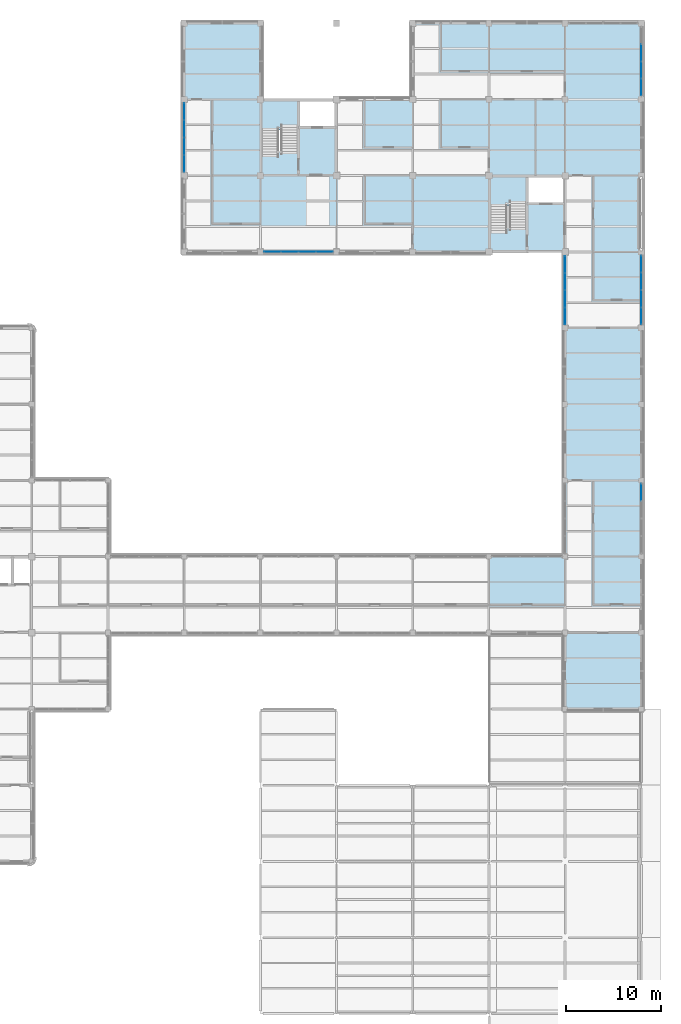
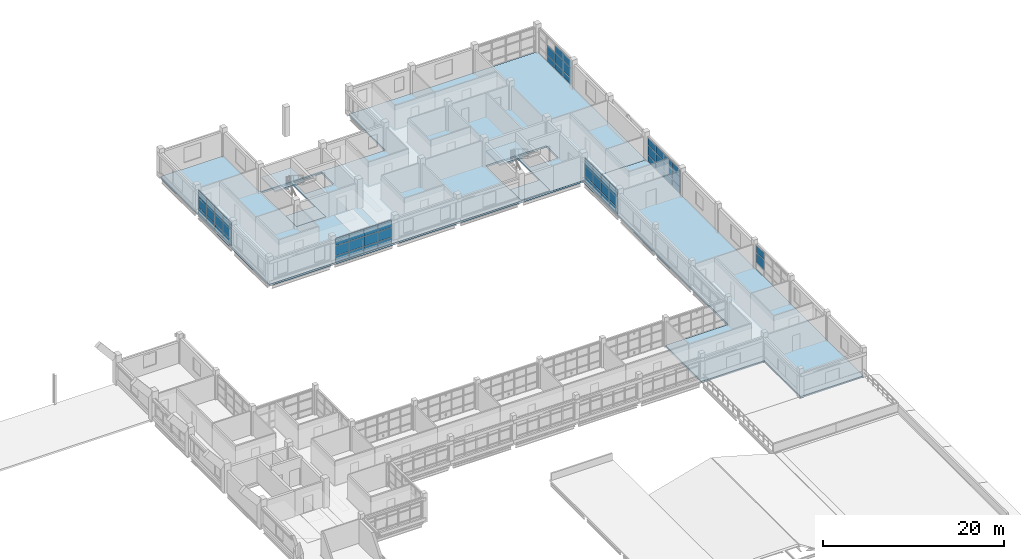
# One storey, part 59 of 92: 58 plates, 6 slabs, 8 elements without a shape of their own.
"""IFC4 building model written with IfcOpenShell, lengths in metres."""

import ifcopenshell
import ifcopenshell.guid

model = None  # the IFC model being written
_history = None  # IfcOwnerHistory: only IFC2X3 demands one
_inside = {}  # id of a spatial element -> (the spatial element, [elements in it])
_under = {}  # id of a project, library or spatial element -> (it, [spatial elements below it])
_declared = {}  # id of a project -> (the project, [libraries it declares])
_typed = {}  # id of a type object -> (the type object, [elements of that type])
_made_of = {}  # id of a material, layer set ... -> (it, [elements and type objects made of it])


def new_model(schema):
    """Start an empty IFC model of exactly this schema.

    Asked for "IFC4X3", IfcOpenShell would pick the latest addendum, in which some entities
    have other attributes; the version numbers below select the first issue.
    IFC2X3 requires an IfcOwnerHistory on every rooted entity: one is made here for all.
    """
    global model, _history
    if schema == "IFC4X3":
        model = ifcopenshell.file(schema_version=(4, 3, 0, 0))
    else:
        model = ifcopenshell.file(schema=schema)
    _inside.clear()
    _under.clear()
    _declared.clear()
    _typed.clear()
    _made_of.clear()
    _history = None
    if model.schema == "IFC2X3":
        org = make("IfcOrganization", Name="unknown")
        user = make(
            "IfcPersonAndOrganization",
            ThePerson=make("IfcPerson", FamilyName="unknown"),
            TheOrganization=org,
        )
        app = make(
            "IfcApplication",
            ApplicationDeveloper=org,
            Version="unknown",
            ApplicationFullName="unknown",
            ApplicationIdentifier="unknown",
        )
        _history = make(
            "IfcOwnerHistory",
            OwningUser=user,
            OwningApplication=app,
            ChangeAction="ADDED",
            CreationDate=0,
        )
    return model


def make(cls, **values):
    """One entity of the class cls with the attributes given. An attribute that is None is left unset."""
    return model.create_entity(
        cls, **{name: value for name, value in values.items() if value is not None}
    )


def rooted(cls, **values):
    """An entity with a GlobalId (a new one), such as an element, a storey or a relation."""
    return make(cls, GlobalId=ifcopenshell.guid.new(), OwnerHistory=_history, **values)


def si_unit(unit_type, name, prefix=None):
    """IfcSIUnit, for example si_unit("LENGTHUNIT", "METRE", prefix="MILLI")."""
    return make("IfcSIUnit", UnitType=unit_type, Prefix=prefix, Name=name)


def derived_unit(unit_type, elements):
    """IfcDerivedUnit: a product of units, each with its exponent."""
    return make(
        "IfcDerivedUnit",
        Elements=[
            make("IfcDerivedUnitElement", Unit=unit, Exponent=power)
            for unit, power in elements
        ],
        UnitType=unit_type,
    )


def assignment(units):
    """IfcUnitAssignment: the units of a project."""
    return None if units is None else make("IfcUnitAssignment", Units=units)


def point(xyz):
    """IfcCartesianPoint."""
    return None if xyz is None else make("IfcCartesianPoint", Coordinates=xyz)


def direction(xyz):
    """IfcDirection."""
    return None if xyz is None else make("IfcDirection", DirectionRatios=xyz)


def frame(location, z_axis=None, x_axis=None):
    """IfcAxis2Placement3D, a coordinate frame: its origin and axes. An axis left out is left unset."""
    return make(
        "IfcAxis2Placement3D",
        Location=point(location),
        Axis=direction(z_axis),
        RefDirection=direction(x_axis),
    )


def frame_2d(location, x_axis=None):
    """IfcAxis2Placement2D, a coordinate frame in the plane: its origin and x axis."""
    return make(
        "IfcAxis2Placement2D", Location=point(location), RefDirection=direction(x_axis)
    )


def origin():
    """The frame at (0, 0, 0) with its axes left unset."""
    return frame((0.0, 0.0, 0.0))


def origin_2d():
    """The frame at (0, 0) in the plane with its x axis left unset."""
    return frame_2d((0.0, 0.0))


def place(relative_to, where):
    """IfcLocalPlacement: puts the frame where relative to a parent placement (None: the world)."""
    return make(
        "IfcLocalPlacement", PlacementRelTo=relative_to, RelativePlacement=where
    )


def context(
    kind, dimensions, precision=None, world=None, true_north=None, identifier=None
):
    """IfcGeometricRepresentationContext, for example the 3D "Model" context."""
    return make(
        "IfcGeometricRepresentationContext",
        ContextIdentifier=identifier,
        ContextType=kind,
        CoordinateSpaceDimension=dimensions,
        Precision=precision,
        WorldCoordinateSystem=world,
        TrueNorth=true_north,
    )


def subcontext(parent, identifier, kind, view, scale=None):
    """IfcGeometricRepresentationSubContext, for example "Body" below "Model"."""
    return make(
        "IfcGeometricRepresentationSubContext",
        ContextIdentifier=identifier,
        ContextType=kind,
        ParentContext=parent,
        TargetScale=scale,
        TargetView=view,
    )


def project(units=None, contexts=None):
    """IfcProject with its units and contexts."""
    return rooted(
        "IfcProject",
        Name="project",
        RepresentationContexts=contexts,
        UnitsInContext=assignment(units),
    )


def spatial(cls, under=None, at=None, **own):
    """A site, building, storey or space (cls), placed at a placement, below another one or the project."""
    s = rooted(cls, ObjectPlacement=at, **own)
    if under is not None:
        _under.setdefault(under.id(), (under, []))[1].append(s)
    return s


def polyline(points):
    """IfcPolyline through the points."""
    return make("IfcPolyline", Points=[point(p) for p in points])


def profile(cls, at=None, kind="AREA", **sizes):
    """A parametric profile (cls). Its sizes go by their IFC names, for example OverallWidth=200.0."""
    return make(cls, ProfileType=kind, Position=at, **sizes)


def rectangle(**sizes):
    """IfcRectangleProfileDef."""
    return profile("IfcRectangleProfileDef", **sizes)


def outline(outer, holes=None, kind="AREA"):
    """IfcArbitraryClosedProfileDef: a profile drawn as a closed curve; with holes, ...WithVoids."""
    if holes is None:
        return make("IfcArbitraryClosedProfileDef", ProfileType=kind, OuterCurve=outer)
    return make(
        "IfcArbitraryProfileDefWithVoids",
        ProfileType=kind,
        OuterCurve=outer,
        InnerCurves=holes,
    )


def extrude(swept, where, along, depth):
    """IfcExtrudedAreaSolid: the profile swept, set in the frame where, extruded along a direction by depth."""
    return make(
        "IfcExtrudedAreaSolid",
        SweptArea=swept,
        Position=where,
        ExtrudedDirection=direction(along),
        Depth=depth,
    )


def shape(context_of_items, identifier, shape_type, items):
    """IfcShapeRepresentation: the items that make up one representation, for example the "Body"."""
    return make(
        "IfcShapeRepresentation",
        ContextOfItems=context_of_items,
        RepresentationIdentifier=identifier,
        RepresentationType=shape_type,
        Items=items,
    )


def material(Name=None, Category=None):
    """IfcMaterial."""
    return make("IfcMaterial", Name=Name, Category=Category)


def layer(
    of_material, thickness, ventilated=None, Name=None, Category=None, Priority=None
):
    """IfcMaterialLayer: one layer of a wall or slab, of a material (None: an air gap)."""
    return make(
        "IfcMaterialLayer",
        Material=of_material,
        LayerThickness=thickness,
        IsVentilated=ventilated,
        Name=Name,
        Category=Category,
        Priority=Priority,
    )


def layer_set(layers, Name=None):
    """IfcMaterialLayerSet."""
    return make("IfcMaterialLayerSet", MaterialLayers=layers, LayerSetName=Name)


def made_of(thing, what):
    """Note that an element or type object is made of a material, layer set ...; save() writes the relation."""
    if what is not None:
        _made_of.setdefault(what.id(), (what, []))[1].append(thing)
    return thing


def type_object(cls, material=None, **own):
    """A type object (cls), such as IfcWallType, which elements share."""
    return made_of(rooted(cls, **own), material)


def element(
    cls,
    number,
    at=None,
    inside=None,
    cuts=None,
    type_object=None,
    material=None,
    context=None,
    identifier="Body",
    shape_type=None,
    held_by="IfcProductDefinitionShape",
    body=None,
    shapes=None,
    **own,
):
    """One element of the class cls, such as IfcWall. Its Tag is "e" and its number.

    at: its placement. inside: the storey or other place that contains it. cuts: it is an
    opening in that element (IfcRelVoidsElement). A single representation is given by context,
    identifier, shape_type and body (its items); several are given by shapes. held_by: the class
    of the entity that holds the representations. save() writes the other relations.
    """
    e = rooted(cls, Tag="e%d" % number, ObjectPlacement=at, **own)
    if body is not None:
        shapes = [shape(context, identifier, shape_type, body)]
    if shapes is not None:
        e.Representation = make(held_by, Representations=shapes)
    if inside is not None:
        _inside.setdefault(inside.id(), (inside, []))[1].append(e)
    if cuts is not None:
        rooted(
            "IfcRelVoidsElement", RelatingBuildingElement=cuts, RelatedOpeningElement=e
        )
    if type_object is not None:
        _typed.setdefault(type_object.id(), (type_object, []))[1].append(e)
    return made_of(e, material)


def aggregate(whole, parts):
    """IfcRelAggregates: a whole, such as a stair, and the parts it consists of."""
    return rooted("IfcRelAggregates", RelatingObject=whole, RelatedObjects=parts)


def save(model, path):
    """Write the relations noted so far, then the file.

    IfcRelAggregates (storeys below a building ...), IfcRelContainedInSpatialStructure (elements
    in a storey), IfcRelDefinesByType, IfcRelAssociatesMaterial and IfcRelDeclares: one each for
    every whole, place, type object, material and project.
    """
    for whole, parts in _under.values():
        aggregate(whole, parts)
    for where, things in _inside.values():
        rooted(
            "IfcRelContainedInSpatialStructure",
            RelatedElements=things,
            RelatingStructure=where,
        )
    for kind, things in _typed.values():
        rooted("IfcRelDefinesByType", RelatedObjects=things, RelatingType=kind)
    for what, things in _made_of.values():
        rooted("IfcRelAssociatesMaterial", RelatedObjects=things, RelatingMaterial=what)
    for by, libraries in _declared.values():
        rooted("IfcRelDeclares", RelatingContext=by, RelatedDefinitions=libraries)
    model.write(path)


model = new_model("IFC4")

# Units and contexts
model_context = context("Model", 3, precision=1e-05, world=origin(), true_north=direction((0.0, 1.0)))
body_context = subcontext(model_context, "Body", "Model", "MODEL_VIEW")
ifc_project = project(units=[si_unit("LENGTHUNIT", "METRE"), si_unit("AREAUNIT", "SQUARE_METRE"), si_unit("VOLUMEUNIT", "CUBIC_METRE"), si_unit("PLANEANGLEUNIT", "RADIAN"), si_unit("MASSUNIT", "GRAM", prefix="KILO"), derived_unit("THERMALTRANSMITTANCEUNIT", [(si_unit("MASSUNIT", "GRAM", prefix="KILO"), 1), (si_unit("TIMEUNIT", "SECOND"), -3), (si_unit("THERMODYNAMICTEMPERATUREUNIT", "KELVIN"), -1)])], contexts=[model_context])

# Site, building, storey
site_placement = place(None, origin())
site = spatial("IfcSite", under=ifc_project, at=site_placement, CompositionType="ELEMENT")
building_placement = place(site_placement, origin())
building = spatial("IfcBuilding", under=site, at=building_placement, Name="Veyamyaing Civic Hall", CompositionType="ELEMENT")
storey_placement = place(building_placement, frame((0.0, 0.0, 17.820068359375)))
storey = spatial("IfcBuildingStorey", under=building, at=storey_placement, Name="L04", CompositionType="ELEMENT", Elevation=17.820068359375)

# Curtain wall, plates
ifc_material_1 = material(Name="Anodised aluminium 6063-T6", Category="aluminium")
ifc_layer_1 = layer(ifc_material_1, 0.159912109375, Name="Anodised aluminium 6063-T6")
ifc_layer_set_1 = layer_set([ifc_layer_1], Name="Anodised aluminium 6063-T6")
curtain_wall_type = type_object("IfcCurtainWallType", Name="CW-08", PredefinedType="NOTDEFINED", material=ifc_layer_set_1)
curtain_wall_1_placement = place(storey_placement, origin())
curtain_wall_1 = element("IfcCurtainWall", 1, at=curtain_wall_1_placement, inside=storey, type_object=curtain_wall_type, Name="Unitized curtain wall CW-08 L04 W 22.11", PredefinedType="NOTDEFINED")
ifc_material_2 = material(Name="Low-E insulated glass", Category="glass")
ifc_layer_2 = layer(ifc_material_2, 0.028076171875, Name="Low-E insulated glass")
ifc_layer_set_2 = layer_set([ifc_layer_2], Name="Low-E insulated glass")
plate_type_1 = type_object("IfcPlateType", Name="CWP-01", PredefinedType="CURTAIN_PANEL", material=ifc_layer_set_2)
plate_1_placement = place(storey_placement, frame((168.0, 81.279296875, 0.06494140625), z_axis=(0.0, 0.0, 1.0), x_axis=(0.0, 1.0, 0.0)))
plate_1 = element("IfcPlate", 2, at=plate_1_placement, type_object=plate_type_1, Name="CW-08 panel 1.1", PredefinedType="CURTAIN_PANEL", context=body_context, shape_type="SweptSolid", body=[
    extrude(rectangle(XDim=1.71875, YDim=0.028076171875, at=origin_2d()), origin(), (0.0, 0.0, 1.0), 0.802490234375),
])
plate_2_placement = place(storey_placement, frame((168.0, 81.279296875, 0.9326171875), z_axis=(0.0, 0.0, 1.0), x_axis=(0.0, 1.0, 0.0)))
plate_2 = element("IfcPlate", 3, at=plate_2_placement, type_object=plate_type_1, Name="CW-08 panel 1.2", PredefinedType="CURTAIN_PANEL", context=body_context, shape_type="SweptSolid", body=[
    extrude(rectangle(XDim=1.71875, YDim=0.028076171875, at=origin_2d()), origin(), (0.0, 0.0, 1.0), 1.327880859375),
])
plate_3_placement = place(storey_placement, frame((168.0, 81.279296875, 2.325439453125), z_axis=(0.0, 0.0, 1.0), x_axis=(0.0, 1.0, 0.0)))
plate_3 = element("IfcPlate", 4, at=plate_3_placement, type_object=plate_type_1, Name="CW-08 panel 1.3", PredefinedType="CURTAIN_PANEL", context=body_context, shape_type="SweptSolid", body=[
    extrude(rectangle(XDim=1.71875, YDim=0.028076171875, at=origin_2d()), origin(), (0.0, 0.0, 1.0), 0.9814453125),
])
plate_4_placement = place(storey_placement, frame((168.0, 83.079345703125, 0.06494140625), z_axis=(0.0, 0.0, 1.0), x_axis=(0.0, 1.0, 0.0)))
plate_4 = element("IfcPlate", 5, at=plate_4_placement, type_object=plate_type_1, Name="CW-08 panel 2.1", PredefinedType="CURTAIN_PANEL", context=body_context, shape_type="SweptSolid", body=[
    extrude(rectangle(XDim=1.751220703125, YDim=0.028076171875, at=origin_2d()), origin(), (0.0, 0.0, 1.0), 0.802490234375),
])
plate_5_placement = place(storey_placement, frame((168.0, 83.079345703125, 0.9326171875), z_axis=(0.0, 0.0, 1.0), x_axis=(0.0, 1.0, 0.0)))
plate_5 = element("IfcPlate", 6, at=plate_5_placement, type_object=plate_type_1, Name="CW-08 panel 2.2", PredefinedType="CURTAIN_PANEL", context=body_context, shape_type="SweptSolid", body=[
    extrude(rectangle(XDim=1.751220703125, YDim=0.028076171875, at=origin_2d()), origin(), (0.0, 0.0, 1.0), 1.327880859375),
])
plate_6_placement = place(storey_placement, frame((168.0, 83.079345703125, 2.325439453125), z_axis=(0.0, 0.0, 1.0), x_axis=(0.0, 1.0, 0.0)))
plate_6 = element("IfcPlate", 7, at=plate_6_placement, type_object=plate_type_1, Name="CW-08 panel 2.3", PredefinedType="CURTAIN_PANEL", context=body_context, shape_type="SweptSolid", body=[
    extrude(rectangle(XDim=1.751220703125, YDim=0.028076171875, at=origin_2d()), origin(), (0.0, 0.0, 1.0), 0.9814453125),
])
plate_7_placement = place(storey_placement, frame((168.0, 84.8955078125, 0.06494140625), z_axis=(0.0, 0.0, 1.0), x_axis=(0.0, 1.0, 0.0)))
plate_7 = element("IfcPlate", 8, at=plate_7_placement, type_object=plate_type_1, Name="CW-08 panel 3.1", PredefinedType="CURTAIN_PANEL", context=body_context, shape_type="SweptSolid", body=[
    extrude(rectangle(XDim=1.751220703125, YDim=0.028076171875, at=origin_2d()), origin(), (0.0, 0.0, 1.0), 0.802490234375),
])
plate_8_placement = place(storey_placement, frame((168.0, 84.8955078125, 0.9326171875), z_axis=(0.0, 0.0, 1.0), x_axis=(0.0, 1.0, 0.0)))
plate_8 = element("IfcPlate", 9, at=plate_8_placement, type_object=plate_type_1, Name="CW-08 panel 3.2", PredefinedType="CURTAIN_PANEL", context=body_context, shape_type="SweptSolid", body=[
    extrude(rectangle(XDim=1.751220703125, YDim=0.028076171875, at=origin_2d()), origin(), (0.0, 0.0, 1.0), 1.327880859375),
])
plate_9_placement = place(storey_placement, frame((168.0, 84.8955078125, 2.325439453125), z_axis=(0.0, 0.0, 1.0), x_axis=(0.0, 1.0, 0.0)))
plate_9 = element("IfcPlate", 10, at=plate_9_placement, type_object=plate_type_1, Name="CW-08 panel 3.3", PredefinedType="CURTAIN_PANEL", context=body_context, shape_type="SweptSolid", body=[
    extrude(rectangle(XDim=1.751220703125, YDim=0.028076171875, at=origin_2d()), origin(), (0.0, 0.0, 1.0), 0.9814453125),
])
plate_10_placement = place(storey_placement, frame((168.0, 86.695556640625, 0.06494140625), z_axis=(0.0, 0.0, 1.0), x_axis=(0.0, 1.0, 0.0)))
plate_10 = element("IfcPlate", 11, at=plate_10_placement, type_object=plate_type_1, Name="CW-08 panel 4.1", PredefinedType="CURTAIN_PANEL", context=body_context, shape_type="SweptSolid", body=[
    extrude(rectangle(XDim=1.71875, YDim=0.028076171875, at=origin_2d()), origin(), (0.0, 0.0, 1.0), 0.802490234375),
])
plate_11_placement = place(storey_placement, frame((168.0, 86.695556640625, 0.9326171875), z_axis=(0.0, 0.0, 1.0), x_axis=(0.0, 1.0, 0.0)))
plate_11 = element("IfcPlate", 12, at=plate_11_placement, type_object=plate_type_1, Name="CW-08 panel 4.2", PredefinedType="CURTAIN_PANEL", context=body_context, shape_type="SweptSolid", body=[
    extrude(rectangle(XDim=1.71875, YDim=0.028076171875, at=origin_2d()), origin(), (0.0, 0.0, 1.0), 1.327880859375),
])
plate_12_placement = place(storey_placement, frame((168.0, 86.695556640625, 2.325439453125), z_axis=(0.0, 0.0, 1.0), x_axis=(0.0, 1.0, 0.0)))
plate_12 = element("IfcPlate", 13, at=plate_12_placement, type_object=plate_type_1, Name="CW-08 panel 4.3", PredefinedType="CURTAIN_PANEL", context=body_context, shape_type="SweptSolid", body=[
    extrude(rectangle(XDim=1.71875, YDim=0.028076171875, at=origin_2d()), origin(), (0.0, 0.0, 1.0), 0.9814453125),
])
aggregate(curtain_wall_1, [plate_1, plate_2, plate_3, plate_4, plate_5, plate_6, plate_7, plate_8, plate_9, plate_10, plate_11, plate_12])

curtain_wall_2_placement = place(storey_placement, origin())
curtain_wall_2 = element("IfcCurtainWall", 14, at=curtain_wall_2_placement, inside=storey, type_object=curtain_wall_type, Name="Unitized curtain wall CW-08 L04 E 22.11", PredefinedType="NOTDEFINED")
plate_13_placement = place(storey_placement, frame((176.0, 81.282470703125, 0.06494140625), z_axis=(0.0, 0.0, 1.0), x_axis=(0.0, 1.0, 0.0)))
plate_13 = element("IfcPlate", 15, at=plate_13_placement, type_object=plate_type_1, Name="CW-08 panel 1.1", PredefinedType="CURTAIN_PANEL", context=body_context, shape_type="SweptSolid", body=[
    extrude(rectangle(XDim=1.72509765625, YDim=0.028076171875, at=origin_2d()), origin(), (0.0, 0.0, 1.0), 0.802490234375),
])
plate_14_placement = place(storey_placement, frame((176.0, 81.282470703125, 0.9326171875), z_axis=(0.0, 0.0, 1.0), x_axis=(0.0, 1.0, 0.0)))
plate_14 = element("IfcPlate", 16, at=plate_14_placement, type_object=plate_type_1, Name="CW-08 panel 1.2", PredefinedType="CURTAIN_PANEL", context=body_context, shape_type="SweptSolid", body=[
    extrude(rectangle(XDim=1.72509765625, YDim=0.028076171875, at=origin_2d()), origin(), (0.0, 0.0, 1.0), 1.282470703125),
])
plate_15_placement = place(storey_placement, frame((176.0, 81.282470703125, 2.27978515625), z_axis=(0.0, 0.0, 1.0), x_axis=(0.0, 1.0, 0.0)))
plate_15 = element("IfcPlate", 17, at=plate_15_placement, type_object=plate_type_1, Name="CW-08 panel 1.3", PredefinedType="CURTAIN_PANEL", context=body_context, shape_type="SweptSolid", body=[
    extrude(rectangle(XDim=1.72509765625, YDim=0.028076171875, at=origin_2d()), origin(), (0.0, 0.0, 1.0), 0.960205078125),
])
plate_16_placement = place(storey_placement, frame((176.0, 83.0888671875, 0.06494140625), z_axis=(0.0, 0.0, 1.0), x_axis=(0.0, 1.0, 0.0)))
plate_16 = element("IfcPlate", 18, at=plate_16_placement, type_object=plate_type_1, Name="CW-08 panel 2.1", PredefinedType="CURTAIN_PANEL", context=body_context, shape_type="SweptSolid", body=[
    extrude(rectangle(XDim=1.757568359375, YDim=0.028076171875, at=origin_2d()), origin(), (0.0, 0.0, 1.0), 0.802490234375),
])
plate_17_placement = place(storey_placement, frame((176.0, 83.0888671875, 0.9326171875), z_axis=(0.0, 0.0, 1.0), x_axis=(0.0, 1.0, 0.0)))
plate_17 = element("IfcPlate", 19, at=plate_17_placement, type_object=plate_type_1, Name="CW-08 panel 2.2", PredefinedType="CURTAIN_PANEL", context=body_context, shape_type="SweptSolid", body=[
    extrude(rectangle(XDim=1.757568359375, YDim=0.028076171875, at=origin_2d()), origin(), (0.0, 0.0, 1.0), 1.282470703125),
])
plate_18_placement = place(storey_placement, frame((176.0, 83.0888671875, 2.27978515625), z_axis=(0.0, 0.0, 1.0), x_axis=(0.0, 1.0, 0.0)))
plate_18 = element("IfcPlate", 20, at=plate_18_placement, type_object=plate_type_1, Name="CW-08 panel 2.3", PredefinedType="CURTAIN_PANEL", context=body_context, shape_type="SweptSolid", body=[
    extrude(rectangle(XDim=1.757568359375, YDim=0.028076171875, at=origin_2d()), origin(), (0.0, 0.0, 1.0), 0.960205078125),
])
plate_19_placement = place(storey_placement, frame((176.0, 84.9111328125, 0.06494140625), z_axis=(0.0, 0.0, 1.0), x_axis=(0.0, 1.0, 0.0)))
plate_19 = element("IfcPlate", 21, at=plate_19_placement, type_object=plate_type_1, Name="CW-08 panel 3.1", PredefinedType="CURTAIN_PANEL", context=body_context, shape_type="SweptSolid", body=[
    extrude(rectangle(XDim=1.757568359375, YDim=0.028076171875, at=origin_2d()), origin(), (0.0, 0.0, 1.0), 0.802490234375),
])
plate_20_placement = place(storey_placement, frame((176.0, 84.9111328125, 0.9326171875), z_axis=(0.0, 0.0, 1.0), x_axis=(0.0, 1.0, 0.0)))
plate_20 = element("IfcPlate", 22, at=plate_20_placement, type_object=plate_type_1, Name="CW-08 panel 3.2", PredefinedType="CURTAIN_PANEL", context=body_context, shape_type="SweptSolid", body=[
    extrude(rectangle(XDim=1.757568359375, YDim=0.028076171875, at=origin_2d()), origin(), (0.0, 0.0, 1.0), 1.282470703125),
])
plate_21_placement = place(storey_placement, frame((176.0, 84.9111328125, 2.27978515625), z_axis=(0.0, 0.0, 1.0), x_axis=(0.0, 1.0, 0.0)))
plate_21 = element("IfcPlate", 23, at=plate_21_placement, type_object=plate_type_1, Name="CW-08 panel 3.3", PredefinedType="CURTAIN_PANEL", context=body_context, shape_type="SweptSolid", body=[
    extrude(rectangle(XDim=1.757568359375, YDim=0.028076171875, at=origin_2d()), origin(), (0.0, 0.0, 1.0), 0.960205078125),
])
plate_22_placement = place(storey_placement, frame((176.0, 86.717529296875, 0.06494140625), z_axis=(0.0, 0.0, 1.0), x_axis=(0.0, 1.0, 0.0)))
plate_22 = element("IfcPlate", 24, at=plate_22_placement, type_object=plate_type_1, Name="CW-08 panel 4.1", PredefinedType="CURTAIN_PANEL", context=body_context, shape_type="SweptSolid", body=[
    extrude(rectangle(XDim=1.72509765625, YDim=0.028076171875, at=origin_2d()), origin(), (0.0, 0.0, 1.0), 0.802490234375),
])
plate_23_placement = place(storey_placement, frame((176.0, 86.717529296875, 0.9326171875), z_axis=(0.0, 0.0, 1.0), x_axis=(0.0, 1.0, 0.0)))
plate_23 = element("IfcPlate", 25, at=plate_23_placement, type_object=plate_type_1, Name="CW-08 panel 4.2", PredefinedType="CURTAIN_PANEL", context=body_context, shape_type="SweptSolid", body=[
    extrude(rectangle(XDim=1.72509765625, YDim=0.028076171875, at=origin_2d()), origin(), (0.0, 0.0, 1.0), 1.282470703125),
])
plate_24_placement = place(storey_placement, frame((176.0, 86.717529296875, 2.27978515625), z_axis=(0.0, 0.0, 1.0), x_axis=(0.0, 1.0, 0.0)))
plate_24 = element("IfcPlate", 26, at=plate_24_placement, type_object=plate_type_1, Name="CW-08 panel 4.3", PredefinedType="CURTAIN_PANEL", context=body_context, shape_type="SweptSolid", body=[
    extrude(rectangle(XDim=1.72509765625, YDim=0.028076171875, at=origin_2d()), origin(), (0.0, 0.0, 1.0), 0.960205078125),
])
aggregate(curtain_wall_2, [plate_13, plate_14, plate_15, plate_16, plate_17, plate_18, plate_19, plate_20, plate_21, plate_22, plate_23, plate_24])

curtain_wall_3_placement = place(storey_placement, origin())
curtain_wall_3 = element("IfcCurtainWall", 27, at=curtain_wall_3_placement, inside=storey, type_object=curtain_wall_type, Name="Unitized curtain wall CW-08 L04 W 17.13", PredefinedType="NOTDEFINED")
ifc_layer_3 = layer(ifc_material_2, 0.02392578125, Name="Low-E insulated glass")
ifc_layer_set_3 = layer_set([ifc_layer_3], Name="Low-E insulated glass")
plate_type_2 = type_object("IfcPlateType", Name="CWP-04", PredefinedType="CURTAIN_PANEL", material=ifc_layer_set_3)
plate_25_placement = place(storey_placement, frame((128.0, 97.282470703125, 0.06494140625), z_axis=(0.0, 0.0, 1.0), x_axis=(0.0, 1.0, 0.0)))
plate_25 = element("IfcPlate", 28, at=plate_25_placement, type_object=plate_type_2, Name="CW-08 panel 1.1", PredefinedType="CURTAIN_PANEL", context=body_context, shape_type="SweptSolid", body=[
    extrude(rectangle(XDim=1.72509765625, YDim=0.02392578125, at=origin_2d()), origin(), (0.0, 0.0, 1.0), 0.802490234375),
])
plate_26_placement = place(storey_placement, frame((128.0, 97.282470703125, 0.9326171875), z_axis=(0.0, 0.0, 1.0), x_axis=(0.0, 1.0, 0.0)))
plate_26 = element("IfcPlate", 29, at=plate_26_placement, type_object=plate_type_2, Name="CW-08 panel 1.2", PredefinedType="CURTAIN_PANEL", context=body_context, shape_type="SweptSolid", body=[
    extrude(rectangle(XDim=1.72509765625, YDim=0.02392578125, at=origin_2d()), origin(), (0.0, 0.0, 1.0), 1.285888671875),
])
plate_27_placement = place(storey_placement, frame((128.0, 97.282470703125, 2.283203125), z_axis=(0.0, 0.0, 1.0), x_axis=(0.0, 1.0, 0.0)))
plate_27 = element("IfcPlate", 30, at=plate_27_placement, type_object=plate_type_2, Name="CW-08 panel 1.3", PredefinedType="CURTAIN_PANEL", context=body_context, shape_type="SweptSolid", body=[
    extrude(rectangle(XDim=1.72509765625, YDim=0.02392578125, at=origin_2d()), origin(), (0.0, 0.0, 1.0), 0.961669921875),
])
plate_28_placement = place(storey_placement, frame((128.0, 99.0888671875, 0.06494140625), z_axis=(0.0, 0.0, 1.0), x_axis=(0.0, 1.0, 0.0)))
plate_28 = element("IfcPlate", 31, at=plate_28_placement, type_object=plate_type_2, Name="CW-08 panel 2.1", PredefinedType="CURTAIN_PANEL", context=body_context, shape_type="SweptSolid", body=[
    extrude(rectangle(XDim=1.757568359375, YDim=0.02392578125, at=origin_2d()), origin(), (0.0, 0.0, 1.0), 0.802490234375),
])
plate_29_placement = place(storey_placement, frame((128.0, 99.0888671875, 0.9326171875), z_axis=(0.0, 0.0, 1.0), x_axis=(0.0, 1.0, 0.0)))
plate_29 = element("IfcPlate", 32, at=plate_29_placement, type_object=plate_type_2, Name="CW-08 panel 2.2", PredefinedType="CURTAIN_PANEL", context=body_context, shape_type="SweptSolid", body=[
    extrude(rectangle(XDim=1.757568359375, YDim=0.02392578125, at=origin_2d()), origin(), (0.0, 0.0, 1.0), 1.285888671875),
])
plate_30_placement = place(storey_placement, frame((128.0, 99.0888671875, 2.283203125), z_axis=(0.0, 0.0, 1.0), x_axis=(0.0, 1.0, 0.0)))
plate_30 = element("IfcPlate", 33, at=plate_30_placement, type_object=plate_type_2, Name="CW-08 panel 2.3", PredefinedType="CURTAIN_PANEL", context=body_context, shape_type="SweptSolid", body=[
    extrude(rectangle(XDim=1.757568359375, YDim=0.02392578125, at=origin_2d()), origin(), (0.0, 0.0, 1.0), 0.961669921875),
])
plate_31_placement = place(storey_placement, frame((128.0, 100.9111328125, 0.06494140625), z_axis=(0.0, 0.0, 1.0), x_axis=(0.0, 1.0, 0.0)))
plate_31 = element("IfcPlate", 34, at=plate_31_placement, type_object=plate_type_2, Name="CW-08 panel 3.1", PredefinedType="CURTAIN_PANEL", context=body_context, shape_type="SweptSolid", body=[
    extrude(rectangle(XDim=1.757568359375, YDim=0.02392578125, at=origin_2d()), origin(), (0.0, 0.0, 1.0), 0.802490234375),
])
plate_32_placement = place(storey_placement, frame((128.0, 100.9111328125, 0.9326171875), z_axis=(0.0, 0.0, 1.0), x_axis=(0.0, 1.0, 0.0)))
plate_32 = element("IfcPlate", 35, at=plate_32_placement, type_object=plate_type_2, Name="CW-08 panel 3.2", PredefinedType="CURTAIN_PANEL", context=body_context, shape_type="SweptSolid", body=[
    extrude(rectangle(XDim=1.757568359375, YDim=0.02392578125, at=origin_2d()), origin(), (0.0, 0.0, 1.0), 1.285888671875),
])
plate_33_placement = place(storey_placement, frame((128.0, 100.9111328125, 2.283203125), z_axis=(0.0, 0.0, 1.0), x_axis=(0.0, 1.0, 0.0)))
plate_33 = element("IfcPlate", 36, at=plate_33_placement, type_object=plate_type_2, Name="CW-08 panel 3.3", PredefinedType="CURTAIN_PANEL", context=body_context, shape_type="SweptSolid", body=[
    extrude(rectangle(XDim=1.757568359375, YDim=0.02392578125, at=origin_2d()), origin(), (0.0, 0.0, 1.0), 0.961669921875),
])
plate_34_placement = place(storey_placement, frame((128.0, 102.717529296875, 0.06494140625), z_axis=(0.0, 0.0, 1.0), x_axis=(0.0, 1.0, 0.0)))
plate_34 = element("IfcPlate", 37, at=plate_34_placement, type_object=plate_type_2, Name="CW-08 panel 4.1", PredefinedType="CURTAIN_PANEL", context=body_context, shape_type="SweptSolid", body=[
    extrude(rectangle(XDim=1.72509765625, YDim=0.02392578125, at=origin_2d()), origin(), (0.0, 0.0, 1.0), 0.802490234375),
])
plate_35_placement = place(storey_placement, frame((128.0, 102.717529296875, 0.9326171875), z_axis=(0.0, 0.0, 1.0), x_axis=(0.0, 1.0, 0.0)))
plate_35 = element("IfcPlate", 38, at=plate_35_placement, type_object=plate_type_2, Name="CW-08 panel 4.2", PredefinedType="CURTAIN_PANEL", context=body_context, shape_type="SweptSolid", body=[
    extrude(rectangle(XDim=1.72509765625, YDim=0.02392578125, at=origin_2d()), origin(), (0.0, 0.0, 1.0), 1.285888671875),
])
plate_36_placement = place(storey_placement, frame((128.0, 102.717529296875, 2.283203125), z_axis=(0.0, 0.0, 1.0), x_axis=(0.0, 1.0, 0.0)))
plate_36 = element("IfcPlate", 39, at=plate_36_placement, type_object=plate_type_2, Name="CW-08 panel 4.3", PredefinedType="CURTAIN_PANEL", context=body_context, shape_type="SweptSolid", body=[
    extrude(rectangle(XDim=1.72509765625, YDim=0.02392578125, at=origin_2d()), origin(), (0.0, 0.0, 1.0), 0.961669921875),
])
aggregate(curtain_wall_3, [plate_25, plate_26, plate_27, plate_28, plate_29, plate_30, plate_31, plate_32, plate_33, plate_34, plate_35, plate_36])

curtain_wall_4_placement = place(storey_placement, origin())
curtain_wall_4 = element("IfcCurtainWall", 40, at=curtain_wall_4_placement, inside=storey, type_object=curtain_wall_type, Name="Unitized curtain wall CW-08 L04 S 18.12", PredefinedType="NOTDEFINED")
plate_37_placement = place(storey_placement, frame((137.282470703125, 88.0, 0.06494140625), z_axis=(0.0, 0.0, 1.0), x_axis=(1.0, 0.0, 0.0)))
plate_37 = element("IfcPlate", 41, at=plate_37_placement, type_object=plate_type_2, Name="CW-08 panel 1.1", PredefinedType="CURTAIN_PANEL", context=body_context, shape_type="SweptSolid", body=[
    extrude(rectangle(XDim=1.72509765625, YDim=0.02392578125, at=origin_2d()), origin(), (0.0, 0.0, 1.0), 0.802490234375),
])
plate_38_placement = place(storey_placement, frame((137.282470703125, 88.0, 0.9326171875), z_axis=(0.0, 0.0, 1.0), x_axis=(1.0, 0.0, 0.0)))
plate_38 = element("IfcPlate", 42, at=plate_38_placement, type_object=plate_type_2, Name="CW-08 panel 1.2", PredefinedType="CURTAIN_PANEL", context=body_context, shape_type="SweptSolid", body=[
    extrude(rectangle(XDim=1.72509765625, YDim=0.02392578125, at=origin_2d()), origin(), (0.0, 0.0, 1.0), 1.285888671875),
])
plate_39_placement = place(storey_placement, frame((137.282470703125, 88.0, 2.283203125), z_axis=(0.0, 0.0, 1.0), x_axis=(1.0, 0.0, 0.0)))
plate_39 = element("IfcPlate", 43, at=plate_39_placement, type_object=plate_type_2, Name="CW-08 panel 1.3", PredefinedType="CURTAIN_PANEL", context=body_context, shape_type="SweptSolid", body=[
    extrude(rectangle(XDim=1.72509765625, YDim=0.02392578125, at=origin_2d()), origin(), (0.0, 0.0, 1.0), 0.961669921875),
])
plate_40_placement = place(storey_placement, frame((139.0888671875, 88.0, 0.06494140625), z_axis=(0.0, 0.0, 1.0), x_axis=(1.0, 0.0, 0.0)))
plate_40 = element("IfcPlate", 44, at=plate_40_placement, type_object=plate_type_2, Name="CW-08 panel 2.1", PredefinedType="CURTAIN_PANEL", context=body_context, shape_type="SweptSolid", body=[
    extrude(rectangle(XDim=1.757568359375, YDim=0.02392578125, at=origin_2d()), origin(), (0.0, 0.0, 1.0), 0.802490234375),
])
plate_41_placement = place(storey_placement, frame((139.0888671875, 88.0, 0.9326171875), z_axis=(0.0, 0.0, 1.0), x_axis=(1.0, 0.0, 0.0)))
plate_41 = element("IfcPlate", 45, at=plate_41_placement, type_object=plate_type_2, Name="CW-08 panel 2.2", PredefinedType="CURTAIN_PANEL", context=body_context, shape_type="SweptSolid", body=[
    extrude(rectangle(XDim=1.757568359375, YDim=0.02392578125, at=origin_2d()), origin(), (0.0, 0.0, 1.0), 1.285888671875),
])
plate_42_placement = place(storey_placement, frame((139.0888671875, 88.0, 2.283203125), z_axis=(0.0, 0.0, 1.0), x_axis=(1.0, 0.0, 0.0)))
plate_42 = element("IfcPlate", 46, at=plate_42_placement, type_object=plate_type_2, Name="CW-08 panel 2.3", PredefinedType="CURTAIN_PANEL", context=body_context, shape_type="SweptSolid", body=[
    extrude(rectangle(XDim=1.757568359375, YDim=0.02392578125, at=origin_2d()), origin(), (0.0, 0.0, 1.0), 0.961669921875),
])
plate_43_placement = place(storey_placement, frame((140.9111328125, 88.0, 0.06494140625), z_axis=(0.0, 0.0, 1.0), x_axis=(1.0, 0.0, 0.0)))
plate_43 = element("IfcPlate", 47, at=plate_43_placement, type_object=plate_type_2, Name="CW-08 panel 3.1", PredefinedType="CURTAIN_PANEL", context=body_context, shape_type="SweptSolid", body=[
    extrude(rectangle(XDim=1.757568359375, YDim=0.02392578125, at=origin_2d()), origin(), (0.0, 0.0, 1.0), 0.802490234375),
])
plate_44_placement = place(storey_placement, frame((140.9111328125, 88.0, 0.9326171875), z_axis=(0.0, 0.0, 1.0), x_axis=(1.0, 0.0, 0.0)))
plate_44 = element("IfcPlate", 48, at=plate_44_placement, type_object=plate_type_2, Name="CW-08 panel 3.2", PredefinedType="CURTAIN_PANEL", context=body_context, shape_type="SweptSolid", body=[
    extrude(rectangle(XDim=1.757568359375, YDim=0.02392578125, at=origin_2d()), origin(), (0.0, 0.0, 1.0), 1.285888671875),
])
plate_45_placement = place(storey_placement, frame((140.9111328125, 88.0, 2.283203125), z_axis=(0.0, 0.0, 1.0), x_axis=(1.0, 0.0, 0.0)))
plate_45 = element("IfcPlate", 49, at=plate_45_placement, type_object=plate_type_2, Name="CW-08 panel 3.3", PredefinedType="CURTAIN_PANEL", context=body_context, shape_type="SweptSolid", body=[
    extrude(rectangle(XDim=1.757568359375, YDim=0.02392578125, at=origin_2d()), origin(), (0.0, 0.0, 1.0), 0.961669921875),
])
plate_46_placement = place(storey_placement, frame((142.717529296875, 88.0, 0.06494140625), z_axis=(0.0, 0.0, 1.0), x_axis=(1.0, 0.0, 0.0)))
plate_46 = element("IfcPlate", 50, at=plate_46_placement, type_object=plate_type_2, Name="CW-08 panel 4.1", PredefinedType="CURTAIN_PANEL", context=body_context, shape_type="SweptSolid", body=[
    extrude(rectangle(XDim=1.72509765625, YDim=0.02392578125, at=origin_2d()), origin(), (0.0, 0.0, 1.0), 0.802490234375),
])
plate_47_placement = place(storey_placement, frame((142.717529296875, 88.0, 0.9326171875), z_axis=(0.0, 0.0, 1.0), x_axis=(1.0, 0.0, 0.0)))
plate_47 = element("IfcPlate", 51, at=plate_47_placement, type_object=plate_type_2, Name="CW-08 panel 4.2", PredefinedType="CURTAIN_PANEL", context=body_context, shape_type="SweptSolid", body=[
    extrude(rectangle(XDim=1.72509765625, YDim=0.02392578125, at=origin_2d()), origin(), (0.0, 0.0, 1.0), 1.285888671875),
])
plate_48_placement = place(storey_placement, frame((142.717529296875, 88.0, 2.283203125), z_axis=(0.0, 0.0, 1.0), x_axis=(1.0, 0.0, 0.0)))
plate_48 = element("IfcPlate", 52, at=plate_48_placement, type_object=plate_type_2, Name="CW-08 panel 4.3", PredefinedType="CURTAIN_PANEL", context=body_context, shape_type="SweptSolid", body=[
    extrude(rectangle(XDim=1.72509765625, YDim=0.02392578125, at=origin_2d()), origin(), (0.0, 0.0, 1.0), 0.961669921875),
])
aggregate(curtain_wall_4, [plate_37, plate_38, plate_39, plate_40, plate_41, plate_42, plate_43, plate_44, plate_45, plate_46, plate_47, plate_48])

curtain_wall_5_placement = place(storey_placement, origin())
curtain_wall_5 = element("IfcCurtainWall", 53, at=curtain_wall_5_placement, inside=storey, type_object=curtain_wall_type, Name="Unitized curtain wall CW-08 L04 E 22.8", PredefinedType="NOTDEFINED")
plate_49_placement = place(storey_placement, frame((176.0, 62.7548828125, 0.9326171875), z_axis=(0.0, 0.0, 1.0), x_axis=(0.0, 1.0, 0.0)))
plate_49 = element("IfcPlate", 54, at=plate_49_placement, type_object=plate_type_2, Name="CW-08 panel 4.2", PredefinedType="CURTAIN_PANEL", context=body_context, shape_type="SweptSolid", body=[
    extrude(rectangle(XDim=1.75, YDim=0.02392578125, at=origin_2d()), origin(), (0.0, 0.0, 1.0), 1.312255859375),
])
plate_50_placement = place(storey_placement, frame((176.0, 62.7548828125, 2.309814453125), z_axis=(0.0, 0.0, 1.0), x_axis=(0.0, 1.0, 0.0)))
plate_50 = element("IfcPlate", 55, at=plate_50_placement, type_object=plate_type_2, Name="CW-08 panel 4.3", PredefinedType="CURTAIN_PANEL", context=body_context, shape_type="SweptSolid", body=[
    extrude(rectangle(XDim=1.75, YDim=0.02392578125, at=origin_2d()), origin(), (0.0, 0.0, 1.0), 0.97412109375),
])
aggregate(curtain_wall_5, [plate_49, plate_50])

curtain_wall_6_placement = place(storey_placement, origin())
curtain_wall_6 = element("IfcCurtainWall", 56, at=curtain_wall_6_placement, inside=storey, type_object=curtain_wall_type, Name="Unitized curtain wall CW-08 L04 E 22.14", PredefinedType="NOTDEFINED")
plate_51_placement = place(storey_placement, frame((176.0, 105.282470703125, 0.06494140625), z_axis=(0.0, 0.0, 1.0), x_axis=(0.0, 1.0, 0.0)))
plate_51 = element("IfcPlate", 57, at=plate_51_placement, type_object=plate_type_2, Name="CW-08 panel 1.1", PredefinedType="CURTAIN_PANEL", context=body_context, shape_type="SweptSolid", body=[
    extrude(rectangle(XDim=1.72509765625, YDim=0.02392578125, at=origin_2d()), origin(), (0.0, 0.0, 1.0), 0.802490234375),
])
plate_52_placement = place(storey_placement, frame((176.0, 105.282470703125, 0.9326171875), z_axis=(0.0, 0.0, 1.0), x_axis=(0.0, 1.0, 0.0)))
plate_52 = element("IfcPlate", 58, at=plate_52_placement, type_object=plate_type_2, Name="CW-08 panel 1.2", PredefinedType="CURTAIN_PANEL", context=body_context, shape_type="SweptSolid", body=[
    extrude(rectangle(XDim=1.72509765625, YDim=0.02392578125, at=origin_2d()), origin(), (0.0, 0.0, 1.0), 1.331298828125),
])
plate_53_placement = place(storey_placement, frame((176.0, 105.282470703125, 2.32861328125), z_axis=(0.0, 0.0, 1.0), x_axis=(0.0, 1.0, 0.0)))
plate_53 = element("IfcPlate", 59, at=plate_53_placement, type_object=plate_type_2, Name="CW-08 panel 1.3", PredefinedType="CURTAIN_PANEL", context=body_context, shape_type="SweptSolid", body=[
    extrude(rectangle(XDim=1.72509765625, YDim=0.02392578125, at=origin_2d()), origin(), (0.0, 0.0, 1.0), 0.983154296875),
])
plate_54_placement = place(storey_placement, frame((176.0, 107.0888671875, 0.06494140625), z_axis=(0.0, 0.0, 1.0), x_axis=(0.0, 1.0, 0.0)))
plate_54 = element("IfcPlate", 60, at=plate_54_placement, type_object=plate_type_2, Name="CW-08 panel 2.1", PredefinedType="CURTAIN_PANEL", context=body_context, shape_type="SweptSolid", body=[
    extrude(rectangle(XDim=1.757568359375, YDim=0.02392578125, at=origin_2d()), origin(), (0.0, 0.0, 1.0), 0.802490234375),
])
plate_55_placement = place(storey_placement, frame((176.0, 107.0888671875, 0.9326171875), z_axis=(0.0, 0.0, 1.0), x_axis=(0.0, 1.0, 0.0)))
plate_55 = element("IfcPlate", 61, at=plate_55_placement, type_object=plate_type_2, Name="CW-08 panel 2.2", PredefinedType="CURTAIN_PANEL", context=body_context, shape_type="SweptSolid", body=[
    extrude(rectangle(XDim=1.757568359375, YDim=0.02392578125, at=origin_2d()), origin(), (0.0, 0.0, 1.0), 1.331298828125),
])
plate_56_placement = place(storey_placement, frame((176.0, 107.0888671875, 2.32861328125), z_axis=(0.0, 0.0, 1.0), x_axis=(0.0, 1.0, 0.0)))
plate_56 = element("IfcPlate", 62, at=plate_56_placement, type_object=plate_type_2, Name="CW-08 panel 2.3", PredefinedType="CURTAIN_PANEL", context=body_context, shape_type="SweptSolid", body=[
    extrude(rectangle(XDim=1.757568359375, YDim=0.02392578125, at=origin_2d()), origin(), (0.0, 0.0, 1.0), 0.983154296875),
])
plate_57_placement = place(storey_placement, frame((176.0, 108.9111328125, 0.06494140625), z_axis=(0.0, 0.0, 1.0), x_axis=(0.0, 1.0, 0.0)))
plate_57 = element("IfcPlate", 63, at=plate_57_placement, type_object=plate_type_2, Name="CW-08 panel 3.1", PredefinedType="CURTAIN_PANEL", context=body_context, shape_type="SweptSolid", body=[
    extrude(rectangle(XDim=1.757568359375, YDim=0.02392578125, at=origin_2d()), origin(), (0.0, 0.0, 1.0), 0.802490234375),
])
plate_58_placement = place(storey_placement, frame((176.0, 108.9111328125, 0.9326171875), z_axis=(0.0, 0.0, 1.0), x_axis=(0.0, 1.0, 0.0)))
plate_58 = element("IfcPlate", 64, at=plate_58_placement, type_object=plate_type_2, Name="CW-08 panel 3.2", PredefinedType="CURTAIN_PANEL", context=body_context, shape_type="SweptSolid", body=[
    extrude(rectangle(XDim=1.757568359375, YDim=0.02392578125, at=origin_2d()), origin(), (0.0, 0.0, 1.0), 1.331298828125),
])
aggregate(curtain_wall_6, [plate_51, plate_52, plate_53, plate_54, plate_55, plate_56, plate_57, plate_58])

# Slabs
ifc_material_3 = material(Name="Concrete C40/50", Category="concrete")
ifc_layer_4 = layer(ifc_material_3, 0.235107421875, Name="Concrete C40/50")
ifc_layer_set_4 = layer_set([ifc_layer_4], Name="Concrete C40/50")
slab_type_1 = type_object("IfcSlabType", Name="SL-06", PredefinedType="FLOOR", material=ifc_layer_set_4)
slab_1_placement = place(storey_placement, frame((0.0, 0.0, -0.235107421875)))
element("IfcSlab", 65, at=slab_1_placement, inside=storey, type_object=slab_type_1, Name="Floor slab SL-06 L04 V4NE.1", PredefinedType="FLOOR", context=body_context, shape_type="SweptSolid", body=[
    extrude(outline(polyline([(176.0, 88.0), (128.0, 88.0), (128.0, 112.0), (136.0, 112.0), (136.0, 104.0), (152.0, 104.0), (152.0, 112.0), (176.0, 112.0), (176.0, 88.0)]), holes=[polyline([(163.909912109375, 95.860107421875), (160.139892578125, 95.860107421875), (160.139892578125, 88.139892578125), (163.909912109375, 88.139892578125), (163.909912109375, 95.860107421875)]), polyline([(164.179931640625, 95.820068359375), (164.179931640625, 93.179931640625), (167.820068359375, 93.179931640625), (167.820068359375, 95.820068359375), (164.179931640625, 95.820068359375)]), polyline([(139.909912109375, 103.860107421875), (136.139892578125, 103.860107421875), (136.139892578125, 96.139892578125), (139.909912109375, 96.139892578125), (139.909912109375, 103.860107421875)]), polyline([(143.820068359375, 103.820068359375), (140.179931640625, 103.820068359375), (140.179931640625, 101.179931640625), (143.820068359375, 101.179931640625), (143.820068359375, 103.820068359375)])]), origin(), (0.0, 0.0, 1.0), 0.235107421875),
])
slab_2_placement = place(storey_placement, frame((0.0, 0.0, -0.235107421875)))
element("IfcSlab", 66, at=slab_2_placement, inside=storey, type_object=slab_type_1, Name="Floor slab SL-06 L04 V4SE.1", PredefinedType="FLOOR", context=body_context, shape_type="SweptSolid", body=[
    extrude(outline(polyline([(168.0, 48.0), (160.0, 48.0), (160.0, 56.0), (168.0, 56.0), (168.0, 88.0), (176.0, 88.0), (176.0, 40.0), (168.0, 40.0), (168.0, 48.0)])), origin(), (0.0, 0.0, 1.0), 0.235107421875),
])
ifc_layer_5 = layer(ifc_material_3, 0.199951171875, Name="Concrete C40/50")
ifc_layer_set_5 = layer_set([ifc_layer_5], Name="Concrete C40/50")
slab_type_2 = type_object("IfcSlabType", Name="SL-16", PredefinedType="FLOOR", material=ifc_layer_set_5)
slab_3_placement = place(storey_placement, frame((0.0, 0.0, -0.199951171875)))
element("IfcSlab", 67, at=slab_3_placement, inside=storey, type_object=slab_type_2, Name="Stair floor landing slab SL-16 ST-03 L04", PredefinedType="FLOOR", context=body_context, shape_type="SweptSolid", body=[
    extrude(outline(polyline([(160.139892578125, 88.139892578125), (163.909912109375, 88.139892578125), (163.909912109375, 90.52001953125), (160.139892578125, 90.52001953125), (160.139892578125, 88.139892578125)])), origin(), (0.0, 0.0, 1.0), 0.199951171875),
])
slab_4_placement = place(storey_placement, frame((0.0, 0.0, -0.199951171875)))
element("IfcSlab", 68, at=slab_4_placement, inside=storey, type_object=slab_type_2, Name="Stair floor landing slab SL-16 ST-04 L04", PredefinedType="FLOOR", context=body_context, shape_type="SweptSolid", body=[
    extrude(outline(polyline([(136.139892578125, 96.139892578125), (139.909912109375, 96.139892578125), (139.909912109375, 98.52001953125), (136.139892578125, 98.52001953125), (136.139892578125, 96.139892578125)])), origin(), (0.0, 0.0, 1.0), 0.199951171875),
])

# Stair, slab
stair_type = type_object("IfcStairType", Name="ST-D", PredefinedType="HALF_TURN_STAIR", material=ifc_material_3)
stair_1_placement = place(storey_placement, origin())
stair_1 = element("IfcStair", 69, at=stair_1_placement, inside=storey, type_object=stair_type, Name="Protected exit stair ST-03 L04", PredefinedType="HALF_TURN_STAIR")
ifc_layer_6 = layer(ifc_material_3, 0.195068359375, Name="Concrete C40/50")
ifc_layer_set_6 = layer_set([ifc_layer_6], Name="Concrete C40/50")
slab_type_3 = type_object("IfcSlabType", Name="SL-LND", PredefinedType="LANDING", material=ifc_layer_set_6)
slab_5_placement = place(storey_placement, frame((0.0, 0.0, 1.784912109375)))
slab_5 = element("IfcSlab", 70, at=slab_5_placement, type_object=slab_type_3, Name="ST-03 landing 1", PredefinedType="LANDING", context=body_context, shape_type="SweptSolid", body=[
    extrude(outline(polyline([(160.139892578125, 92.7900390625), (163.909912109375, 92.7900390625), (163.909912109375, 95.860107421875), (160.139892578125, 95.860107421875), (160.139892578125, 92.7900390625)])), origin(), (0.0, 0.0, 1.0), 0.195068359375),
])
aggregate(stair_1, [slab_5])

stair_2_placement = place(storey_placement, origin())
stair_2 = element("IfcStair", 71, at=stair_2_placement, inside=storey, type_object=stair_type, Name="Protected exit stair ST-04 L04", PredefinedType="HALF_TURN_STAIR")
slab_6_placement = place(storey_placement, frame((0.0, 0.0, 1.784912109375)))
slab_6 = element("IfcSlab", 72, at=slab_6_placement, type_object=slab_type_3, Name="ST-04 landing 1", PredefinedType="LANDING", context=body_context, shape_type="SweptSolid", body=[
    extrude(outline(polyline([(136.139892578125, 100.7900390625), (139.909912109375, 100.7900390625), (139.909912109375, 103.860107421875), (136.139892578125, 103.860107421875), (136.139892578125, 100.7900390625)])), origin(), (0.0, 0.0, 1.0), 0.195068359375),
])
aggregate(stair_2, [slab_6])

save(model, "model.ifc")
